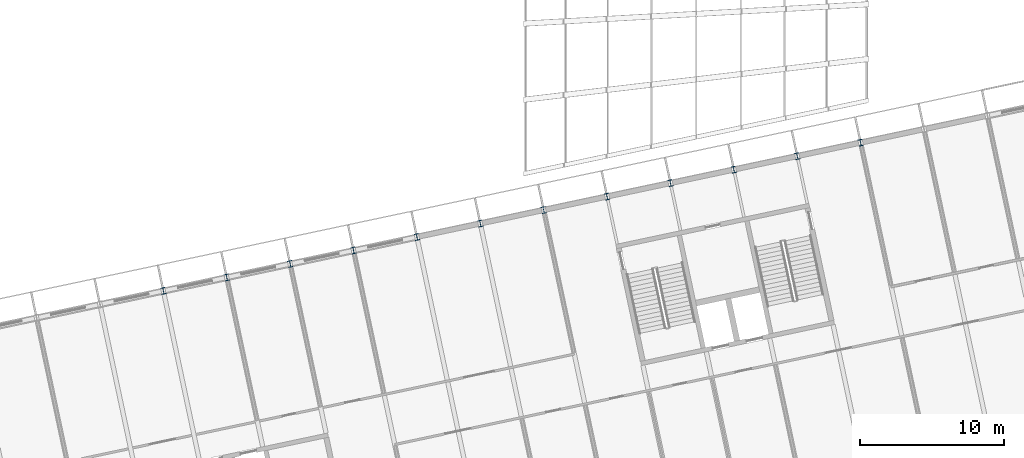
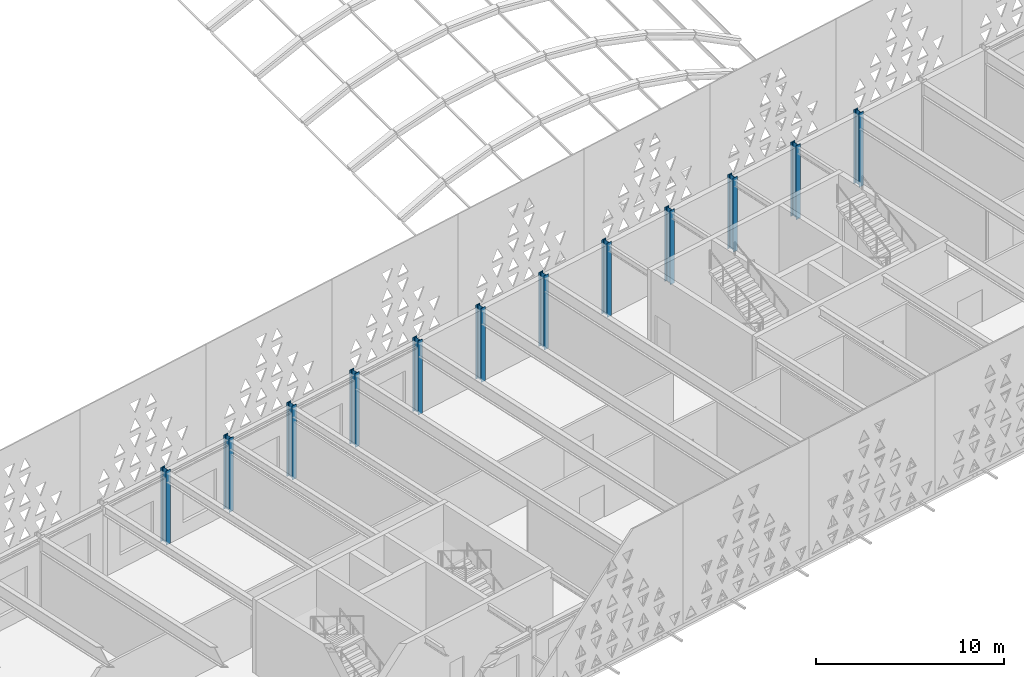
# One storey, part 13 of 196: 12 columns.
"""IFC4 building model written with IfcOpenShell, lengths in metres."""

from ifc_helpers import new_model, si_unit, direction, frame, origin, origin_2d, place, context, subcontext, project, spatial, i_section, extrude, material, material_profile, profile_set, type_object, element, save


model = new_model("IFC4")

# Units and contexts
model_context = context("Model", 3, precision=1e-05, world=origin(), true_north=direction((0.0, 1.0)))
body_context = subcontext(model_context, "Body", "Model", "MODEL_VIEW")
ifc_project = project(units=[si_unit("LENGTHUNIT", "METRE"), si_unit("AREAUNIT", "SQUARE_METRE"), si_unit("VOLUMEUNIT", "CUBIC_METRE"), si_unit("PLANEANGLEUNIT", "RADIAN"), si_unit("MASSUNIT", "GRAM", prefix="KILO")], contexts=[model_context])

# Site, building, storey
site_placement = place(None, origin())
site = spatial("IfcSite", under=ifc_project, at=site_placement, CompositionType="ELEMENT")
building_placement = place(site_placement, origin())
building = spatial("IfcBuilding", under=site, at=building_placement, Name="Okhra Congress Centre", CompositionType="ELEMENT")
storey_placement = place(building_placement, frame((0.0, 0.0, 12.0)))
storey = spatial("IfcBuildingStorey", under=building, at=storey_placement, Name="L02", CompositionType="ELEMENT", Elevation=12.0)

# Columns
ifc_material = material(Name="Steel S355J2", Category="steel")
ifc_material_profile = material_profile(ifc_material, i_section(OverallWidth=0.300048828125, OverallDepth=0.449951171875, WebThickness=0.013916015625, FlangeThickness=0.02587890625, FilletRadius=0.027099609375, at=origin_2d()), Name="HE 450 B")
ifc_profile_set = profile_set([ifc_material_profile], Name="Steel S355J2")
column_type = type_object("IfcColumnType", Name="Steel post HE 450 B", PredefinedType="COLUMN", material=ifc_profile_set)
for number, where, z_axis, x_axis, name in (
    (1, (135.2509765625, 67.125732421875, 0.0), (0.0, 0.0, 1.0), (0.978147600734, 0.207911690818, 0.0), "Post N19"),
    (2, (139.65283203125, 68.061279296875, 0.0), (0.0, 0.0, 1.0), (0.978147600734, 0.207911690818, 0.0), "Post N20"),
    (3, (144.054443359375, 68.996826171875, 0.0), (0.0, 0.0, 1.0), (0.978147600734, 0.207911690818, 0.0), "Post N21"),
    (4, (148.4560546875, 69.932373046875, 0.0), (0.0, 0.0, 1.0), (0.978147600734, 0.207911690818, 0.0), "Post N22"),
    (5, (152.857666015625, 70.867919921875, 0.0), (0.0, 0.0, 1.0), (0.978147600734, 0.207911690818, 0.0), "Post N23"),
    (6, (157.25927734375, 71.8037109375, 0.0), (0.0, 0.0, 1.0), (0.978147600734, 0.207911690818, 0.0), "Post N24"),
    (7, (161.6611328125, 72.7392578125, 0.0), (0.0, 0.0, 1.0), (0.978147600734, 0.207911690818, 0.0), "Post N25"),
    (8, (166.062744140625, 73.6748046875, 0.0), (0.0, 0.0, 1.0), (0.978147600734, 0.207911690818, 0.0), "Post N26"),
    (9, (170.46435546875, 74.6103515625, 0.0), (0.0, 0.0, 1.0), (0.978147600734, 0.207911690818, 0.0), "Post N27"),
    (10, (174.865966796875, 75.546142578125, 0.0), (0.0, 0.0, 1.0), (0.978147600734, 0.207911690818, 0.0), "Post N28"),
    (11, (179.267822265625, 76.481689453125, 0.0), (0.0, 0.0, 1.0), (0.978147600734, 0.207911690818, 0.0), "Post N29"),
    (12, (183.66943359375, 77.417236328125, 0.0), (0.0, 0.0, 1.0), (0.978147600734, 0.207911690818, 0.0), "Post N30"),
):
    element("IfcColumn", number, at=place(storey_placement, frame(where, z_axis=z_axis, x_axis=x_axis)), inside=storey, type_object=column_type, Name=name, PredefinedType="COLUMN", context=body_context, shape_type="SweptSolid", body=[
        extrude(i_section(OverallWidth=0.300048828125, OverallDepth=0.449951171875, WebThickness=0.013916015625, FlangeThickness=0.02587890625, FilletRadius=0.027099609375, at=origin_2d()), origin(), (0.0, 0.0, 1.0), 4.800048828125),
    ])

save(model, "model.ifc")
